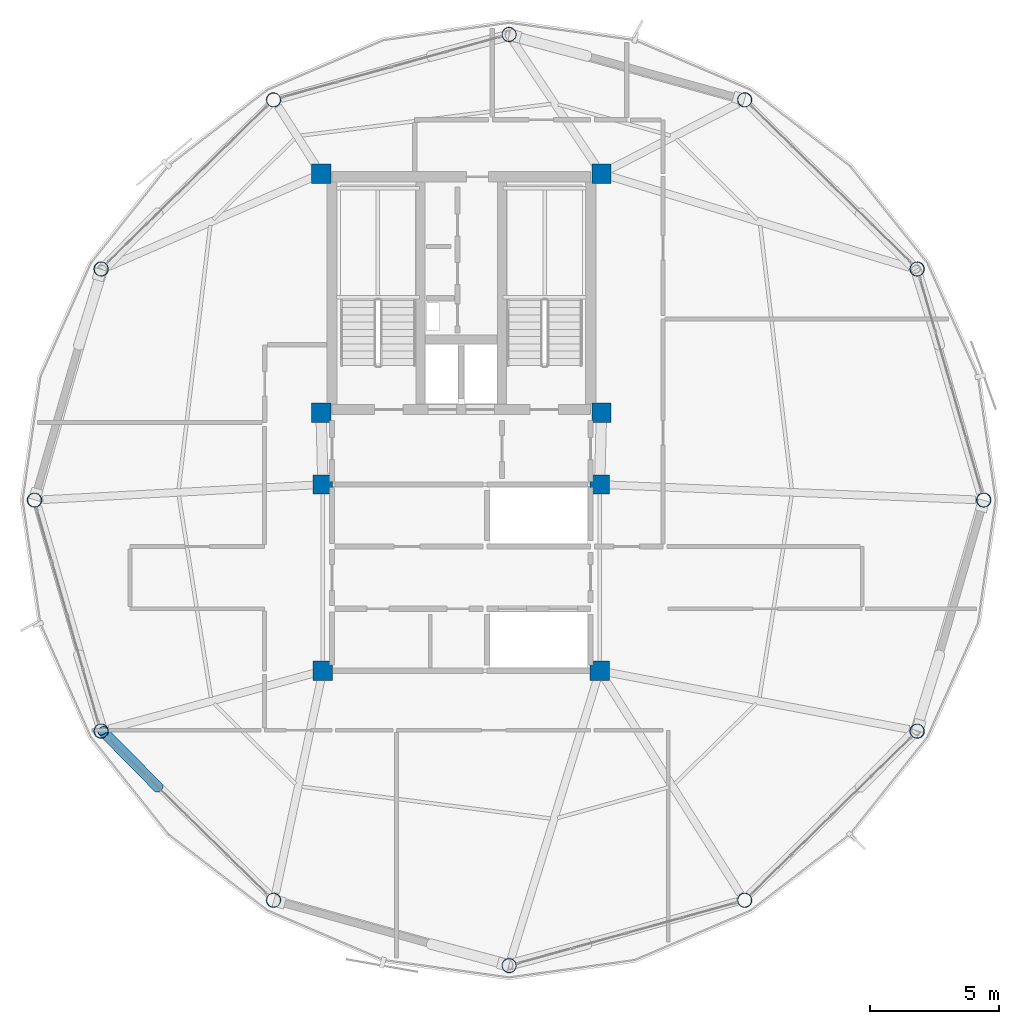
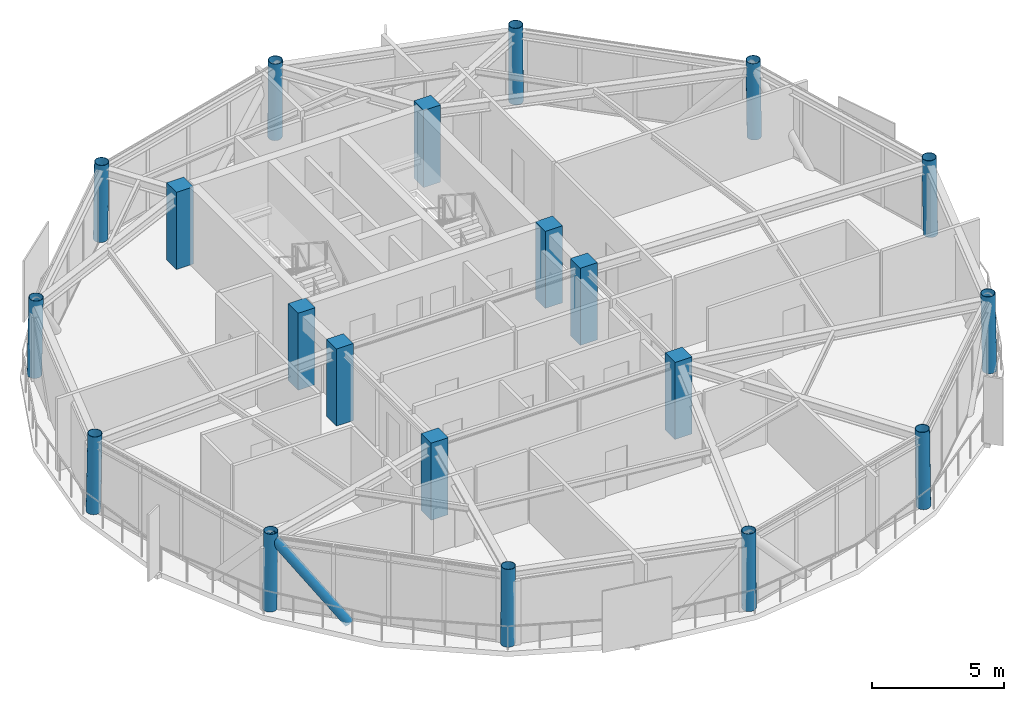
# One storey, part 1 of 26: 20 columns, 1 member.
"""IFC4 building model written with IfcOpenShell, lengths in metres."""

import ifcopenshell
import ifcopenshell.guid

model = None  # the IFC model being written
_history = None  # IfcOwnerHistory: only IFC2X3 demands one
_inside = {}  # id of a spatial element -> (the spatial element, [elements in it])
_under = {}  # id of a project, library or spatial element -> (it, [spatial elements below it])
_declared = {}  # id of a project -> (the project, [libraries it declares])
_typed = {}  # id of a type object -> (the type object, [elements of that type])
_made_of = {}  # id of a material, layer set ... -> (it, [elements and type objects made of it])


def new_model(schema):
    """Start an empty IFC model of exactly this schema.

    Asked for "IFC4X3", IfcOpenShell would pick the latest addendum, in which some entities
    have other attributes; the version numbers below select the first issue.
    IFC2X3 requires an IfcOwnerHistory on every rooted entity: one is made here for all.
    """
    global model, _history
    if schema == "IFC4X3":
        model = ifcopenshell.file(schema_version=(4, 3, 0, 0))
    else:
        model = ifcopenshell.file(schema=schema)
    _inside.clear()
    _under.clear()
    _declared.clear()
    _typed.clear()
    _made_of.clear()
    _history = None
    if model.schema == "IFC2X3":
        org = make("IfcOrganization", Name="unknown")
        user = make(
            "IfcPersonAndOrganization",
            ThePerson=make("IfcPerson", FamilyName="unknown"),
            TheOrganization=org,
        )
        app = make(
            "IfcApplication",
            ApplicationDeveloper=org,
            Version="unknown",
            ApplicationFullName="unknown",
            ApplicationIdentifier="unknown",
        )
        _history = make(
            "IfcOwnerHistory",
            OwningUser=user,
            OwningApplication=app,
            ChangeAction="ADDED",
            CreationDate=0,
        )
    return model


def make(cls, **values):
    """One entity of the class cls with the attributes given. An attribute that is None is left unset."""
    return model.create_entity(
        cls, **{name: value for name, value in values.items() if value is not None}
    )


def rooted(cls, **values):
    """An entity with a GlobalId (a new one), such as an element, a storey or a relation."""
    return make(cls, GlobalId=ifcopenshell.guid.new(), OwnerHistory=_history, **values)


def si_unit(unit_type, name, prefix=None):
    """IfcSIUnit, for example si_unit("LENGTHUNIT", "METRE", prefix="MILLI")."""
    return make("IfcSIUnit", UnitType=unit_type, Prefix=prefix, Name=name)


def assignment(units):
    """IfcUnitAssignment: the units of a project."""
    return None if units is None else make("IfcUnitAssignment", Units=units)


def point(xyz):
    """IfcCartesianPoint."""
    return None if xyz is None else make("IfcCartesianPoint", Coordinates=xyz)


def direction(xyz):
    """IfcDirection."""
    return None if xyz is None else make("IfcDirection", DirectionRatios=xyz)


def frame(location, z_axis=None, x_axis=None):
    """IfcAxis2Placement3D, a coordinate frame: its origin and axes. An axis left out is left unset."""
    return make(
        "IfcAxis2Placement3D",
        Location=point(location),
        Axis=direction(z_axis),
        RefDirection=direction(x_axis),
    )


def frame_2d(location, x_axis=None):
    """IfcAxis2Placement2D, a coordinate frame in the plane: its origin and x axis."""
    return make(
        "IfcAxis2Placement2D", Location=point(location), RefDirection=direction(x_axis)
    )


def origin():
    """The frame at (0, 0, 0) with its axes left unset."""
    return frame((0.0, 0.0, 0.0))


def origin_2d():
    """The frame at (0, 0) in the plane with its x axis left unset."""
    return frame_2d((0.0, 0.0))


def place(relative_to, where):
    """IfcLocalPlacement: puts the frame where relative to a parent placement (None: the world)."""
    return make(
        "IfcLocalPlacement", PlacementRelTo=relative_to, RelativePlacement=where
    )


def context(
    kind, dimensions, precision=None, world=None, true_north=None, identifier=None
):
    """IfcGeometricRepresentationContext, for example the 3D "Model" context."""
    return make(
        "IfcGeometricRepresentationContext",
        ContextIdentifier=identifier,
        ContextType=kind,
        CoordinateSpaceDimension=dimensions,
        Precision=precision,
        WorldCoordinateSystem=world,
        TrueNorth=true_north,
    )


def subcontext(parent, identifier, kind, view, scale=None):
    """IfcGeometricRepresentationSubContext, for example "Body" below "Model"."""
    return make(
        "IfcGeometricRepresentationSubContext",
        ContextIdentifier=identifier,
        ContextType=kind,
        ParentContext=parent,
        TargetScale=scale,
        TargetView=view,
    )


def project(units=None, contexts=None):
    """IfcProject with its units and contexts."""
    return rooted(
        "IfcProject",
        Name="project",
        RepresentationContexts=contexts,
        UnitsInContext=assignment(units),
    )


def spatial(cls, under=None, at=None, **own):
    """A site, building, storey or space (cls), placed at a placement, below another one or the project."""
    s = rooted(cls, ObjectPlacement=at, **own)
    if under is not None:
        _under.setdefault(under.id(), (under, []))[1].append(s)
    return s


def profile(cls, at=None, kind="AREA", **sizes):
    """A parametric profile (cls). Its sizes go by their IFC names, for example OverallWidth=200.0."""
    return make(cls, ProfileType=kind, Position=at, **sizes)


def rectangle(**sizes):
    """IfcRectangleProfileDef."""
    return profile("IfcRectangleProfileDef", **sizes)


def hollow_circle(**sizes):
    """IfcCircleHollowProfileDef."""
    return profile("IfcCircleHollowProfileDef", **sizes)


def extrude(swept, where, along, depth):
    """IfcExtrudedAreaSolid: the profile swept, set in the frame where, extruded along a direction by depth."""
    return make(
        "IfcExtrudedAreaSolid",
        SweptArea=swept,
        Position=where,
        ExtrudedDirection=direction(along),
        Depth=depth,
    )


def shape(context_of_items, identifier, shape_type, items):
    """IfcShapeRepresentation: the items that make up one representation, for example the "Body"."""
    return make(
        "IfcShapeRepresentation",
        ContextOfItems=context_of_items,
        RepresentationIdentifier=identifier,
        RepresentationType=shape_type,
        Items=items,
    )


def material(Name=None, Category=None):
    """IfcMaterial."""
    return make("IfcMaterial", Name=Name, Category=Category)


def material_profile(
    of_material, cross_section, Name=None, Category=None, Priority=None
):
    """IfcMaterialProfile: a cross section and its material."""
    return make(
        "IfcMaterialProfile",
        Name=Name,
        Material=of_material,
        Profile=cross_section,
        Priority=Priority,
        Category=Category,
    )


def profile_set(profiles, Name=None, composite=None):
    """IfcMaterialProfileSet."""
    return make(
        "IfcMaterialProfileSet",
        Name=Name,
        MaterialProfiles=profiles,
        CompositeProfile=composite,
    )


def made_of(thing, what):
    """Note that an element or type object is made of a material, layer set ...; save() writes the relation."""
    if what is not None:
        _made_of.setdefault(what.id(), (what, []))[1].append(thing)
    return thing


def type_object(cls, material=None, **own):
    """A type object (cls), such as IfcWallType, which elements share."""
    return made_of(rooted(cls, **own), material)


def element(
    cls,
    number,
    at=None,
    inside=None,
    cuts=None,
    type_object=None,
    material=None,
    context=None,
    identifier="Body",
    shape_type=None,
    held_by="IfcProductDefinitionShape",
    body=None,
    shapes=None,
    **own,
):
    """One element of the class cls, such as IfcWall. Its Tag is "e" and its number.

    at: its placement. inside: the storey or other place that contains it. cuts: it is an
    opening in that element (IfcRelVoidsElement). A single representation is given by context,
    identifier, shape_type and body (its items); several are given by shapes. held_by: the class
    of the entity that holds the representations. save() writes the other relations.
    """
    e = rooted(cls, Tag="e%d" % number, ObjectPlacement=at, **own)
    if body is not None:
        shapes = [shape(context, identifier, shape_type, body)]
    if shapes is not None:
        e.Representation = make(held_by, Representations=shapes)
    if inside is not None:
        _inside.setdefault(inside.id(), (inside, []))[1].append(e)
    if cuts is not None:
        rooted(
            "IfcRelVoidsElement", RelatingBuildingElement=cuts, RelatedOpeningElement=e
        )
    if type_object is not None:
        _typed.setdefault(type_object.id(), (type_object, []))[1].append(e)
    return made_of(e, material)


def aggregate(whole, parts):
    """IfcRelAggregates: a whole, such as a stair, and the parts it consists of."""
    return rooted("IfcRelAggregates", RelatingObject=whole, RelatedObjects=parts)


def save(model, path):
    """Write the relations noted so far, then the file.

    IfcRelAggregates (storeys below a building ...), IfcRelContainedInSpatialStructure (elements
    in a storey), IfcRelDefinesByType, IfcRelAssociatesMaterial and IfcRelDeclares: one each for
    every whole, place, type object, material and project.
    """
    for whole, parts in _under.values():
        aggregate(whole, parts)
    for where, things in _inside.values():
        rooted(
            "IfcRelContainedInSpatialStructure",
            RelatedElements=things,
            RelatingStructure=where,
        )
    for kind, things in _typed.values():
        rooted("IfcRelDefinesByType", RelatedObjects=things, RelatingType=kind)
    for what, things in _made_of.values():
        rooted("IfcRelAssociatesMaterial", RelatedObjects=things, RelatingMaterial=what)
    for by, libraries in _declared.values():
        rooted("IfcRelDeclares", RelatingContext=by, RelatedDefinitions=libraries)
    model.write(path)


model = new_model("IFC4")

# Units and contexts
model_context = context("Model", 3, precision=1e-05, world=origin(), true_north=direction((0.0, 1.0)))
body_context = subcontext(model_context, "Body", "Model", "MODEL_VIEW")
ifc_project = project(units=[si_unit("LENGTHUNIT", "METRE"), si_unit("AREAUNIT", "SQUARE_METRE"), si_unit("VOLUMEUNIT", "CUBIC_METRE"), si_unit("PLANEANGLEUNIT", "RADIAN"), si_unit("MASSUNIT", "GRAM", prefix="KILO")], contexts=[model_context])

# Site, building, storey
site_placement = place(None, origin())
site = spatial("IfcSite", under=ifc_project, at=site_placement, CompositionType="ELEMENT")
building_placement = place(site_placement, origin())
building = spatial("IfcBuilding", under=site, at=building_placement, Name="Varnakorn Sky Granary", CompositionType="ELEMENT")
storey_placement = place(building_placement, frame((0.0, 0.0, 256.199951171875)))
storey = spatial("IfcBuildingStorey", under=building, at=storey_placement, Name="L65", CompositionType="ELEMENT", Elevation=256.199951171875)

# Columns
ifc_material_1 = material(Name="Steel S460M", Category="steel")
ifc_material_profile_1 = material_profile(ifc_material_1, hollow_circle(Radius=0.279541015625, WallThickness=0.02001953125, at=origin_2d()), Name="CHS 559x20")
ifc_profile_set_1 = profile_set([ifc_material_profile_1], Name="Steel S460M")
column_type_1 = type_object("IfcColumnType", Name="COL-DC-Z5", PredefinedType="COLUMN", material=ifc_profile_set_1)
column_1_placement = place(storey_placement, frame((23.2099609375, 0.0, 0.0), z_axis=(-0.018981760075, 0.0, 0.999819830162), x_axis=(0.0, -1.0, 0.0)))
element("IfcColumn", 1, at=column_1_placement, inside=storey, type_object=column_type_1, Name="Drum Perimeter Column DC01 L65", PredefinedType="COLUMN", context=body_context, shape_type="SweptSolid", body=[
    extrude(hollow_circle(Radius=0.279541015625, WallThickness=0.02001953125, at=origin_2d()), origin(), (0.0, 0.0, 1.0), 3.57568359375),
])
column_2_placement = place(storey_placement, frame((20.63330078125, 8.93505859375, 0.0), z_axis=(-0.016455959383, -0.00477973924, 0.999853166967), x_axis=(0.278928739366, -0.960311802674, 0.0)))
element("IfcColumn", 2, at=column_2_placement, inside=storey, type_object=column_type_1, Name="Drum Perimeter Column DC02 L65", PredefinedType="COLUMN", context=body_context, shape_type="SweptSolid", body=[
    extrude(hollow_circle(Radius=0.279541015625, WallThickness=0.02001953125, at=origin_2d()), origin(), (0.0, 0.0, 1.0), 3.575439453125),
])
for number, where, z_axis, x_axis, name in (
    (3, (13.96240234375, 15.475830078125, 0.0), (-0.00949183863, -0.008262679671, 0.999920813427), (0.656581650754, -0.754254954172, 0.0), "Drum Perimeter Column DC03 L65"),
    (4, (4.85009765625, 18.0048828125, 0.0), (0.0, -0.00949216266, 0.999954948409), (1.0, 0.0, 0.0), "Drum Perimeter Column DC04 L65"),
    (5, (-4.262451171875, 15.475830078125, 0.0), (0.00949183863, -0.008262679671, 0.999920813427), (0.656581650754, 0.754254954172, 0.0), "Drum Perimeter Column DC05 L65"),
):
    element("IfcColumn", number, at=place(storey_placement, frame(where, z_axis=z_axis, x_axis=x_axis)), inside=storey, type_object=column_type_1, Name=name, PredefinedType="COLUMN", context=body_context, shape_type="SweptSolid", body=[
        extrude(hollow_circle(Radius=0.279541015625, WallThickness=0.02001953125, at=origin_2d()), origin(), (0.0, 0.0, 1.0), 3.5751953125),
    ])
column_3_placement = place(storey_placement, frame((-10.933349609375, 8.93505859375, 0.0), z_axis=(0.016455959383, -0.00477973924, 0.999853166967), x_axis=(0.278928739366, 0.960311802674, 0.0)))
element("IfcColumn", 6, at=column_3_placement, inside=storey, type_object=column_type_1, Name="Drum Perimeter Column DC06 L65", PredefinedType="COLUMN", context=body_context, shape_type="SweptSolid", body=[
    extrude(hollow_circle(Radius=0.279541015625, WallThickness=0.02001953125, at=origin_2d()), origin(), (0.0, 0.0, 1.0), 3.575439453125),
])
column_4_placement = place(storey_placement, frame((-13.510009765625, 0.0, 0.0), z_axis=(0.019050015053, 0.0, 0.999818531998), x_axis=(0.0, 1.0, 0.0)))
element("IfcColumn", 7, at=column_4_placement, inside=storey, type_object=column_type_1, Name="Drum Perimeter Column DC07 L65", PredefinedType="COLUMN", context=body_context, shape_type="SweptSolid", body=[
    extrude(hollow_circle(Radius=0.279541015625, WallThickness=0.02001953125, at=origin_2d()), origin(), (0.0, 0.0, 1.0), 3.57568359375),
])
column_5_placement = place(storey_placement, frame((-10.933349609375, -8.93505859375, 0.0), z_axis=(0.016455959383, 0.00477973924, 0.999853166967), x_axis=(-0.278928739366, 0.960311802674, 0.0)))
element("IfcColumn", 8, at=column_5_placement, inside=storey, type_object=column_type_1, Name="Drum Perimeter Column DC08 L65", PredefinedType="COLUMN", context=body_context, shape_type="SweptSolid", body=[
    extrude(hollow_circle(Radius=0.279541015625, WallThickness=0.02001953125, at=origin_2d()), origin(), (0.0, 0.0, 1.0), 3.575439453125),
])
for number, where, z_axis, x_axis, name in (
    (9, (-4.262451171875, -15.475830078125, 0.0), (0.00949183863, 0.008262679671, 0.999920813427), (-0.656581650754, 0.754254954172, 0.0), "Drum Perimeter Column DC09 L65"),
    (10, (4.85009765625, -18.0048828125, 0.0), (0.0, 0.00949216266, 0.999954948409), (-1.0, 0.0, 0.0), "Drum Perimeter Column DC10 L65"),
    (11, (13.96240234375, -15.475830078125, 0.0), (-0.00949183863, 0.008262679671, 0.999920813427), (-0.656581650754, -0.754254954172, 0.0), "Drum Perimeter Column DC11 L65"),
):
    element("IfcColumn", number, at=place(storey_placement, frame(where, z_axis=z_axis, x_axis=x_axis)), inside=storey, type_object=column_type_1, Name=name, PredefinedType="COLUMN", context=body_context, shape_type="SweptSolid", body=[
        extrude(hollow_circle(Radius=0.279541015625, WallThickness=0.02001953125, at=origin_2d()), origin(), (0.0, 0.0, 1.0), 3.5751953125),
    ])
column_6_placement = place(storey_placement, frame((20.63330078125, -8.93505859375, 0.0), z_axis=(-0.016455959383, 0.00477973924, 0.999853166967), x_axis=(-0.278928739366, -0.960311802674, 0.0)))
element("IfcColumn", 12, at=column_6_placement, inside=storey, type_object=column_type_1, Name="Drum Perimeter Column DC12 L65", PredefinedType="COLUMN", context=body_context, shape_type="SweptSolid", body=[
    extrude(hollow_circle(Radius=0.279541015625, WallThickness=0.02001953125, at=origin_2d()), origin(), (0.0, 0.0, 1.0), 3.575439453125),
])
ifc_material_2 = material(Name="Concrete C50/60", Category="concrete")
ifc_material_profile_2 = material_profile(ifc_material_2, rectangle(XDim=0.75, YDim=0.75, at=origin_2d()), Name="RC 750x750")
ifc_profile_set_2 = profile_set([ifc_material_profile_2], Name="Concrete C50/60")
column_type_2 = type_object("IfcColumnType", Name="COL-MC-Z5", PredefinedType="COLUMN", material=ifc_profile_set_2)
for number, where, z_axis, x_axis, name in (
    (13, (-2.419921875, 12.6201171875, 0.0), (0.0, 0.0, 1.0), (1.0, 0.0, 0.0), "Backbone Mega-Column MC1 L65"),
    (14, (8.419921875, 12.6201171875, 0.0), (0.0, 0.0, 1.0), (1.0, 0.0, 0.0), "Backbone Mega-Column MC2 L65"),
    (15, (-2.419921875, 3.3798828125, 0.0), (0.0, 0.0, 1.0), (1.0, 0.0, 0.0), "Backbone Mega-Column MC3 L65"),
    (16, (8.419921875, 3.3798828125, 0.0), (0.0, 0.0, 1.0), (1.0, 0.0, 0.0), "Backbone Mega-Column MC4 L65"),
    (17, (-2.35009765625, 0.60009765625, 0.0), (0.0, 0.0, 1.0), (1.0, 0.0, 0.0), "Backbone Mega-Column MC5 L65"),
    (18, (8.35009765625, 0.60009765625, 0.0), (0.0, 0.0, 1.0), (1.0, 0.0, 0.0), "Backbone Mega-Column MC6 L65"),
    (19, (-2.35009765625, -6.60009765625, 0.0), (0.0, 0.0, 1.0), (1.0, 0.0, 0.0), "Backbone Mega-Column MC7 L65"),
    (20, (8.35009765625, -6.60009765625, 0.0), (0.0, 0.0, 1.0), (1.0, 0.0, 0.0), "Backbone Mega-Column MC8 L65"),
):
    element("IfcColumn", number, at=place(storey_placement, frame(where, z_axis=z_axis, x_axis=x_axis)), inside=storey, type_object=column_type_2, Name=name, PredefinedType="COLUMN", context=body_context, shape_type="SweptSolid", body=[
        extrude(rectangle(XDim=0.75, YDim=0.75, at=origin_2d()), origin(), (0.0, 0.0, 1.0), 3.574951171875),
    ])

# Member
ifc_material_profile_3 = material_profile(ifc_material_1, hollow_circle(Radius=0.203125, WallThickness=0.01611328125, at=origin_2d()), Name="CHS 406.4x16")
ifc_profile_set_3 = profile_set([ifc_material_profile_3], Name="Steel S460M")
member_type = type_object("IfcMemberType", Name="MB-DIAG-T4", PredefinedType="BRACE", material=ifc_profile_set_3)
member_placement = place(storey_placement, frame((-8.709716796875, -11.115234375, -0.1298828125), z_axis=(-0.464775779747, 0.471747154361, 0.749291730177), x_axis=(-0.712350671031, -0.701823711114, 0.0)))
element("IfcMember", 21, at=member_placement, inside=storey, type_object=member_type, Name="Perimeter CHS Diagrid Brace DG08 L65", PredefinedType="BRACE", context=body_context, shape_type="SweptSolid", body=[
    extrude(hollow_circle(Radius=0.203125, WallThickness=0.01611328125, at=origin_2d()), origin(), (0.0, 0.0, 1.0), 4.65771484375),
])

save(model, "model.ifc")
